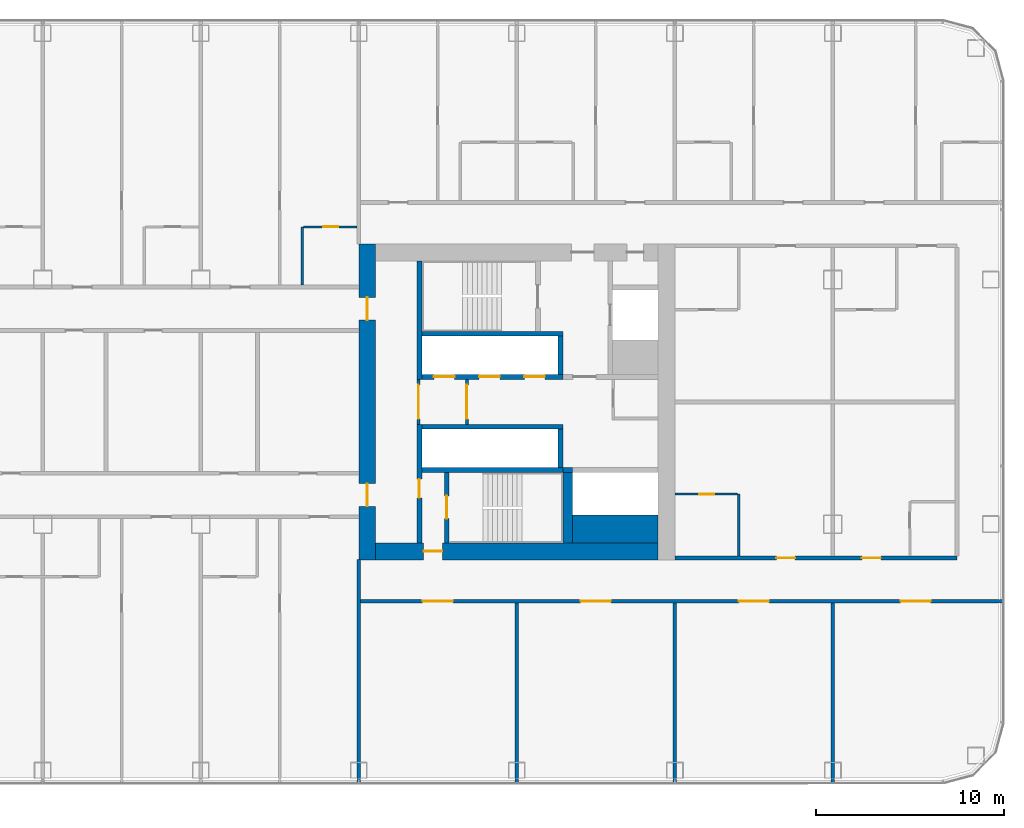
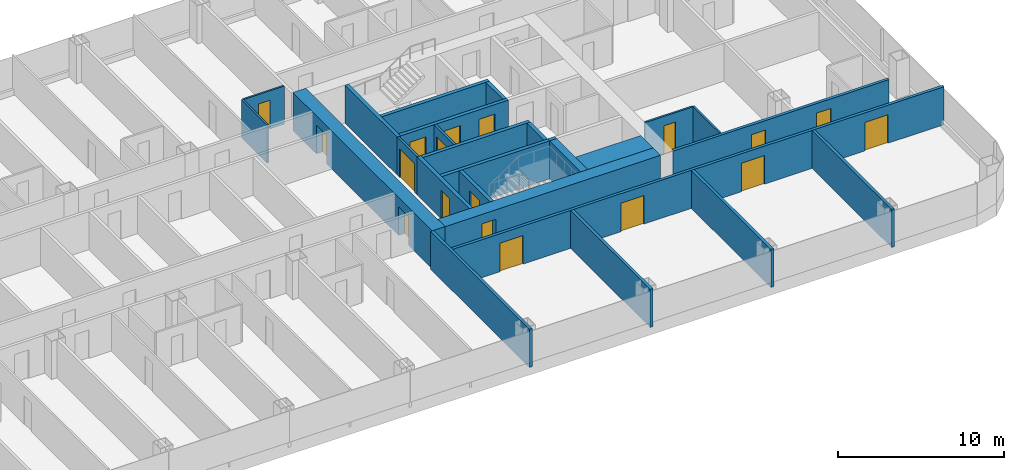
# One storey, part 17 of 28: 26 walls, 18 doors, 18 openings.
"""IFC4 building model written with IfcOpenShell, lengths in metres."""

from ifc_helpers import new_model, si_unit, direction, frame, frame_2d, origin, place, context, subcontext, project, spatial, rectangle, extrude, material, layer, layer_set, type_object, element, fill, save


model = new_model("IFC4")

# Units and contexts
model_context = context("Model", 3, precision=1e-05, world=origin(), true_north=direction((0.0, 1.0)))
body_context = subcontext(model_context, "Body", "Model", "MODEL_VIEW")
ifc_project = project(units=[si_unit("LENGTHUNIT", "METRE"), si_unit("AREAUNIT", "SQUARE_METRE"), si_unit("VOLUMEUNIT", "CUBIC_METRE"), si_unit("PLANEANGLEUNIT", "RADIAN"), si_unit("MASSUNIT", "GRAM", prefix="KILO")], contexts=[model_context])

# Site, building, storey
site_placement = place(None, origin())
site = spatial("IfcSite", under=ifc_project, at=site_placement, CompositionType="ELEMENT")
building_placement = place(site_placement, origin())
building = spatial("IfcBuilding", under=site, at=building_placement, Name="Hakoniwa Tower and Hamabe Station Hall", CompositionType="ELEMENT")
storey_placement = place(building_placement, frame((0.0, 0.0, 48.60009765625)))
storey = spatial("IfcBuildingStorey", under=building, at=storey_placement, Name="L13", CompositionType="ELEMENT", Elevation=48.60009765625)

# Wall, opening, door
ifc_material_1 = material(Name="Gypsum board partition", Category="gypsum")
ifc_layer_1 = layer(ifc_material_1, 0.125)
ifc_layer_set_1 = layer_set([ifc_layer_1], Name="Bathroom Partition 125")
wall_type_1 = type_object("IfcWallType", Name="Bathroom Partition 125", PredefinedType="PARTITIONING", material=ifc_layer_set_1)
wall_1_placement = place(storey_placement, frame((33.60009765625, -4.89990234375, 0.0), z_axis=(0.0, 0.0, 1.0), x_axis=(1.0, 0.0, 0.0)))
wall_1 = element("IfcWall", 1, at=wall_1_placement, inside=storey, type_object=wall_type_1, Name="GW-L13-012", PredefinedType="PARTITIONING", context=body_context, shape_type="SweptSolid", body=[
    extrude(rectangle(XDim=3.33740234375, YDim=0.125, at=frame_2d((1.668701171875, 0.0))), origin(), (0.0, 0.0, 1.0), 2.7998046875),
])
opening_1_placement = place(wall_1_placement, frame((1.300048828125, 0.0, 0.0)))
opening_1 = element("IfcOpeningElement", 2, at=opening_1_placement, cuts=wall_1, Name="Opening GD-G1E1-26", PredefinedType="OPENING", context=body_context, shape_type="SweptSolid", body=[
    extrude(rectangle(XDim=0.800048828125, YDim=2.10009765625, at=frame_2d((0.39990234375, 1.050048828125))), frame((0.0, 0.072509765625, 0.0), z_axis=(0.0, -1.0, 0.0), x_axis=(1.0, 0.0, 0.0)), (0.0, 0.0, 1.0), 0.14501953125),
])
ifc_material_2 = material(Name="Timber door leaf", Category="wood")
door_type_1 = type_object("IfcDoorType", Name="Bathroom Door 800", OperationType="SINGLE_SWING_LEFT", PredefinedType="DOOR", material=ifc_material_2)
door_1_placement = place(opening_1_placement, origin())
door_1 = element("IfcDoor", 3, at=door_1_placement, inside=storey, type_object=door_type_1, Name="Door GD-G1E1-26", OperationType="SINGLE_SWING_RIGHT", OverallHeight=2.10009765625, OverallWidth=0.800048828125, PredefinedType="DOOR", context=body_context, shape_type="SweptSolid", body=[
    extrude(rectangle(XDim=0.800048828125, YDim=2.10009765625, at=frame_2d((0.39990234375, 1.050048828125))), frame((0.0, 0.02490234375, 0.0), z_axis=(0.0, -1.0, 0.0), x_axis=(1.0, 0.0, 0.0)), (0.0, 0.0, 1.0), 0.050048828125),
])
fill(opening_1, door_1)

wall_2_placement = place(storey_placement, frame((13.862548828125, 9.300048828125, 0.0), z_axis=(0.0, 0.0, 1.0), x_axis=(1.0, 0.0, 0.0)))
wall_2 = element("IfcWall", 4, at=wall_2_placement, inside=storey, type_object=wall_type_1, Name="GW-L13-026", PredefinedType="PARTITIONING", context=body_context, shape_type="SweptSolid", body=[
    extrude(rectangle(XDim=2.83740234375, YDim=0.125, at=frame_2d((1.418701171875, 0.0))), origin(), (0.0, 0.0, 1.0), 2.7998046875),
])
opening_2_placement = place(wall_2_placement, frame((1.03759765625, 0.0, 0.0)))
opening_2 = element("IfcOpeningElement", 5, at=opening_2_placement, cuts=wall_2, Name="Opening GD-G1E1-50", PredefinedType="OPENING", context=body_context, shape_type="SweptSolid", body=[
    extrude(rectangle(XDim=0.800048828125, YDim=2.10009765625, at=frame_2d((0.39990234375, 1.050048828125))), frame((0.0, 0.072509765625, 0.0), z_axis=(0.0, -1.0, 0.0), x_axis=(1.0, 0.0, 0.0)), (0.0, 0.0, 1.0), 0.14501953125),
])
door_2_placement = place(opening_2_placement, origin())
door_2 = element("IfcDoor", 6, at=door_2_placement, inside=storey, type_object=door_type_1, Name="Door GD-G1E1-50", OperationType="SINGLE_SWING_RIGHT", OverallHeight=2.10009765625, OverallWidth=0.800048828125, PredefinedType="DOOR", context=body_context, shape_type="SweptSolid", body=[
    extrude(rectangle(XDim=0.800048828125, YDim=2.10009765625, at=frame_2d((0.39990234375, 1.050048828125))), frame((0.0, 0.02490234375, 0.0), z_axis=(0.0, -1.0, 0.0), x_axis=(1.0, 0.0, 0.0)), (0.0, 0.0, 1.0), 0.050048828125),
])
fill(opening_2, door_2)

# Walls
wall_3_placement = place(storey_placement, frame((13.800048828125, 6.199951171875, 0.0), z_axis=(0.0, 0.0, 1.0), x_axis=(0.0, 1.0, 0.0)))
element("IfcWall", 7, at=wall_3_placement, inside=storey, type_object=wall_type_1, Name="GW-L13-079", PredefinedType="PARTITIONING", context=body_context, shape_type="SweptSolid", body=[
    extrude(rectangle(XDim=3.10009765625, YDim=0.125, at=frame_2d((1.550048828125, 0.0))), origin(), (0.0, 0.0, 1.0), 2.7998046875),
])
wall_4_placement = place(storey_placement, frame((37.0, -8.199951171875, 0.0), z_axis=(0.0, 0.0, 1.0), x_axis=(0.0, 1.0, 0.0)))
element("IfcWall", 8, at=wall_4_placement, inside=storey, type_object=wall_type_1, Name="GW-L13-091", PredefinedType="PARTITIONING", context=body_context, shape_type="SweptSolid", body=[
    extrude(rectangle(XDim=3.300048828125, YDim=0.125, at=frame_2d((1.64990234375, 0.0))), origin(), (0.0, 0.0, 1.0), 2.7998046875),
])

# Wall, opening, door
ifc_material_3 = material(Name="Gypsum board partition")
ifc_layer_2 = layer(ifc_material_3, 0.14990234375)
ifc_layer_set_2 = layer_set([ifc_layer_2], Name="CORE PARTITION 150 EI 60")
wall_type_2 = type_object("IfcWallType", Name="CORE PARTITION 150 EI 60", PredefinedType="PARTITIONING", material=ifc_layer_set_2)
wall_5_placement = place(storey_placement, frame((19.97509765625, -1.199951171875, 0.0), z_axis=(0.0, 0.0, 1.0), x_axis=(0.0, 1.0, 0.0)))
wall_5 = element("IfcWall", 9, at=wall_5_placement, inside=storey, type_object=wall_type_2, Name="Core partition PL0 east", PredefinedType="PARTITIONING", context=body_context, shape_type="SweptSolid", body=[
    extrude(rectangle(XDim=2.39990234375, YDim=0.14990234375, at=frame_2d((1.199951171875, 0.0))), origin(), (0.0, 0.0, 1.0), 2.7998046875),
])
opening_3_placement = place(wall_5_placement, frame((0.300048828125, 0.0, 0.0)))
opening_3 = element("IfcOpeningElement", 10, at=opening_3_placement, cuts=wall_5, Name="Opening CD-E-LP0-18", PredefinedType="OPENING", context=body_context, shape_type="SweptSolid", body=[
    extrude(rectangle(XDim=1.800048828125, YDim=2.10009765625, at=frame_2d((0.89990234375, 1.050048828125))), frame((0.0, 0.0849609375, 0.0), z_axis=(0.0, -1.0, 0.0), x_axis=(1.0, 0.0, 0.0)), (0.0, 0.0, 1.0), 0.169921875),
])
ifc_material_4 = material(Name="Steel fire door", Category="steel")
door_type_2 = type_object("IfcDoorType", Name="CORE DOOR 1800 FD60", OperationType="DOUBLE_DOOR_SINGLE_SWING", PredefinedType="DOOR", material=ifc_material_4)
door_3_placement = place(opening_3_placement, origin())
door_3 = element("IfcDoor", 11, at=door_3_placement, inside=storey, type_object=door_type_2, Name="Lift lobby partition door", OperationType="DOUBLE_DOOR_SINGLE_SWING", OverallHeight=2.10009765625, OverallWidth=1.800048828125, PredefinedType="DOOR", context=body_context, shape_type="SweptSolid", body=[
    extrude(rectangle(XDim=1.800048828125, YDim=2.10009765625, at=frame_2d((0.89990234375, 1.050048828125))), frame((0.0, 0.02490234375, 0.0), z_axis=(0.0, -1.0, 0.0), x_axis=(1.0, 0.0, 0.0)), (0.0, 0.0, 1.0), 0.050048828125),
])
fill(opening_3, door_3)

wall_6_placement = place(storey_placement, frame((22.550048828125, -1.199951171875, 0.0), z_axis=(0.0, 0.0, 1.0), x_axis=(0.0, 1.0, 0.0)))
wall_6 = element("IfcWall", 12, at=wall_6_placement, inside=storey, type_object=wall_type_2, Name="Core partition PL1 east", PredefinedType="PARTITIONING", context=body_context, shape_type="SweptSolid", body=[
    extrude(rectangle(XDim=2.39990234375, YDim=0.14990234375, at=frame_2d((1.199951171875, 0.0))), origin(), (0.0, 0.0, 1.0), 2.7998046875),
])
opening_4_placement = place(wall_6_placement, frame((0.300048828125, 0.0, 0.0)))
opening_4 = element("IfcOpeningElement", 13, at=opening_4_placement, cuts=wall_6, Name="Opening CD-E-LP1-18", PredefinedType="OPENING", context=body_context, shape_type="SweptSolid", body=[
    extrude(rectangle(XDim=1.800048828125, YDim=2.10009765625, at=frame_2d((0.89990234375, 1.050048828125))), frame((0.0, 0.0849609375, 0.0), z_axis=(0.0, -1.0, 0.0), x_axis=(1.0, 0.0, 0.0)), (0.0, 0.0, 1.0), 0.169921875),
])
door_4_placement = place(opening_4_placement, origin())
door_4 = element("IfcDoor", 14, at=door_4_placement, inside=storey, type_object=door_type_2, Name="Lift lobby partition door", OperationType="DOUBLE_DOOR_SINGLE_SWING", OverallHeight=2.10009765625, OverallWidth=1.800048828125, PredefinedType="DOOR", context=body_context, shape_type="SweptSolid", body=[
    extrude(rectangle(XDim=1.800048828125, YDim=2.10009765625, at=frame_2d((0.89990234375, 1.050048828125))), frame((0.0, 0.02490234375, 0.0), z_axis=(0.0, -1.0, 0.0), x_axis=(1.0, 0.0, 0.0)), (0.0, 0.0, 1.0), 0.050048828125),
])
fill(opening_4, door_4)

# Wall, openings, doors
ifc_material_5 = material(Name="Concrete C80", Category="concrete")
ifc_layer_3 = layer(ifc_material_5, 0.89990234375)
ifc_layer_set_3 = layer_set([ifc_layer_3], Name="CORE WALL 900 C80")
wall_type_3 = type_object("IfcWallType", Name="CORE WALL 900 C80", PredefinedType="SHEAR", material=ifc_layer_set_3)
wall_7_placement = place(storey_placement, frame((17.25, -8.39990234375, 0.0), z_axis=(0.0, 0.0, 1.0), x_axis=(0.0, 1.0, 0.0)))
wall_7 = element("IfcWall", 15, at=wall_7_placement, inside=storey, type_object=wall_type_3, Name="Core wall INNER east", PredefinedType="SHEAR", context=body_context, shape_type="SweptSolid", body=[
    extrude(rectangle(XDim=16.7998046875, YDim=0.89990234375, at=frame_2d((8.39990234375, 0.0))), origin(), (0.0, 0.0, 1.0), 2.7998046875),
])
opening_5_placement = place(wall_7_placement, frame((12.75, 0.0, 0.0)))
opening_5 = element("IfcOpeningElement", 16, at=opening_5_placement, cuts=wall_7, Name="Opening CD-E-IN1-12", PredefinedType="OPENING", context=body_context, shape_type="SweptSolid", body=[
    extrude(rectangle(XDim=1.199951171875, YDim=2.10009765625, at=frame_2d((0.60009765625, 1.050048828125))), frame((0.0, 0.4599609375, 0.0), z_axis=(0.0, -1.0, 0.0), x_axis=(1.0, 0.0, 0.0)), (0.0, 0.0, 1.0), 0.919921875),
])
opening_6_placement = place(wall_7_placement, frame((2.85009765625, 0.0, 0.0)))
opening_6 = element("IfcOpeningElement", 17, at=opening_6_placement, cuts=wall_7, Name="Opening CD-E-IN2-12", PredefinedType="OPENING", context=body_context, shape_type="SweptSolid", body=[
    extrude(rectangle(XDim=1.199951171875, YDim=2.10009765625, at=frame_2d((0.60009765625, 1.050048828125))), frame((0.0, 0.4599609375, 0.0), z_axis=(0.0, -1.0, 0.0), x_axis=(1.0, 0.0, 0.0)), (0.0, 0.0, 1.0), 0.919921875),
])
ifc_material_6 = material(Name="Steel fire door", Category="steel")
door_type_3 = type_object("IfcDoorType", Name="CORE DOOR 1200 FD60", OperationType="DOUBLE_DOOR_SINGLE_SWING", PredefinedType="DOOR", material=ifc_material_6)
door_5_placement = place(opening_5_placement, origin())
door_5 = element("IfcDoor", 18, at=door_5_placement, inside=storey, type_object=door_type_3, Name="Lift lobby door", OperationType="DOUBLE_DOOR_SINGLE_SWING", OverallHeight=2.10009765625, OverallWidth=1.199951171875, PredefinedType="DOOR", context=body_context, shape_type="SweptSolid", body=[
    extrude(rectangle(XDim=1.199951171875, YDim=2.10009765625, at=frame_2d((0.60009765625, 1.050048828125))), frame((0.0, 0.02490234375, 0.0), z_axis=(0.0, -1.0, 0.0), x_axis=(1.0, 0.0, 0.0)), (0.0, 0.0, 1.0), 0.050048828125),
])
fill(opening_5, door_5)
door_6_placement = place(opening_6_placement, origin())
door_6 = element("IfcDoor", 19, at=door_6_placement, inside=storey, type_object=door_type_3, Name="Lift lobby door", OperationType="DOUBLE_DOOR_SINGLE_SWING", OverallHeight=2.10009765625, OverallWidth=1.199951171875, PredefinedType="DOOR", context=body_context, shape_type="SweptSolid", body=[
    extrude(rectangle(XDim=1.199951171875, YDim=2.10009765625, at=frame_2d((0.60009765625, 1.050048828125))), frame((0.0, 0.02490234375, 0.0), z_axis=(0.0, -1.0, 0.0), x_axis=(1.0, 0.0, 0.0)), (0.0, 0.0, 1.0), 0.050048828125),
])
fill(opening_6, door_6)

# Wall, opening, door
wall_8_placement = place(storey_placement, frame((17.699951171875, -7.949951171875, 0.0), z_axis=(0.0, 0.0, 1.0), x_axis=(1.0, 0.0, 0.0)))
wall_8 = element("IfcWall", 20, at=wall_8_placement, inside=storey, type_object=wall_type_3, Name="Core wall SOUTH east", PredefinedType="SHEAR", context=body_context, shape_type="SweptSolid", body=[
    extrude(rectangle(XDim=15.0, YDim=0.89990234375, at=frame_2d((7.5, 0.0))), origin(), (0.0, 0.0, 1.0), 2.7998046875),
])
opening_7_placement = place(wall_8_placement, frame((2.550048828125, 0.0, 0.0)))
opening_7 = element("IfcOpeningElement", 21, at=opening_7_placement, cuts=wall_8, Name="Opening CD-E-FS3-10", PredefinedType="OPENING", context=body_context, shape_type="SweptSolid", body=[
    extrude(rectangle(XDim=1.0, YDim=2.10009765625, at=frame_2d((0.5, 1.050048828125))), frame((0.0, 0.4599609375, 0.0), z_axis=(0.0, -1.0, 0.0), x_axis=(1.0, 0.0, 0.0)), (0.0, 0.0, 1.0), 0.919921875),
])
ifc_material_7 = material(Name="Steel fire door", Category="steel")
door_type_4 = type_object("IfcDoorType", Name="CORE DOOR 1000 FD60", OperationType="NOTDEFINED", PredefinedType="DOOR", material=ifc_material_7)
door_7_placement = place(opening_7_placement, origin())
door_7 = element("IfcDoor", 22, at=door_7_placement, inside=storey, type_object=door_type_4, Name="Stair vestibule door", OperationType="SINGLE_SWING_LEFT", OverallHeight=2.10009765625, OverallWidth=1.0, PredefinedType="DOOR", context=body_context, shape_type="SweptSolid", body=[
    extrude(rectangle(XDim=1.0, YDim=2.10009765625, at=frame_2d((0.5, 1.050048828125))), frame((0.0, 0.02490234375, 0.0), z_axis=(0.0, -1.0, 0.0), x_axis=(1.0, 0.0, 0.0)), (0.0, 0.0, 1.0), 0.050048828125),
])
fill(opening_7, door_7)

# Walls
ifc_material_8 = material(Name="Concrete C80", Category="concrete")
ifc_layer_4 = layer(ifc_material_8, 1.5)
ifc_layer_set_4 = layer_set([ifc_layer_4], Name="CORE WEB WALL 1500 C80")
wall_type_4 = type_object("IfcWallType", Name="CORE WEB WALL 1500 C80", PredefinedType="SHEAR", material=ifc_layer_set_4)
wall_9_placement = place(storey_placement, frame((28.14990234375, -6.75, 0.0), z_axis=(0.0, 0.0, 1.0), x_axis=(1.0, 0.0, 0.0)))
element("IfcWall", 23, at=wall_9_placement, inside=storey, type_object=wall_type_4, Name="Core wall SER east", PredefinedType="SHEAR", context=body_context, shape_type="SweptSolid", body=[
    extrude(rectangle(XDim=4.550048828125, YDim=1.5, at=frame_2d((2.27490234375, 0.0))), origin(), (0.0, 0.0, 1.0), 2.7998046875),
])
ifc_material_9 = material(Name="Concrete C80", Category="concrete")
ifc_layer_5 = layer(ifc_material_9, 0.25)
ifc_layer_set_5 = layer_set([ifc_layer_5], Name="CORE WEB WALL 250 C80")
wall_type_5 = type_object("IfcWallType", Name="CORE WEB WALL 250 C80", PredefinedType="SHEAR", material=ifc_layer_set_5)
wall_10_placement = place(storey_placement, frame((20.02490234375, 1.199951171875, 0.0), z_axis=(0.0, 0.0, 1.0), x_axis=(0.0, 1.0, 0.0)))
element("IfcWall", 24, at=wall_10_placement, inside=storey, type_object=wall_type_5, Name="Core wall W1N east", PredefinedType="SHEAR", context=body_context, shape_type="SweptSolid", body=[
    extrude(rectangle(XDim=6.300048828125, YDim=0.25, at=frame_2d((3.14990234375, 0.0))), origin(), (0.0, 0.0, 1.0), 2.7998046875),
])

# Wall, opening, door
wall_11_placement = place(storey_placement, frame((20.02490234375, -7.5, 0.0), z_axis=(0.0, 0.0, 1.0), x_axis=(0.0, 1.0, 0.0)))
wall_11 = element("IfcWall", 25, at=wall_11_placement, inside=storey, type_object=wall_type_5, Name="Core wall W1S east", PredefinedType="SHEAR", context=body_context, shape_type="SweptSolid", body=[
    extrude(rectangle(XDim=6.300048828125, YDim=0.25, at=frame_2d((3.14990234375, 0.0))), origin(), (0.0, 0.0, 1.0), 2.7998046875),
])
opening_8_placement = place(wall_11_placement, frame((2.39990234375, 0.0, 0.0)))
opening_8 = element("IfcOpeningElement", 26, at=opening_8_placement, cuts=wall_11, Name="Opening CD-E-VS-10", PredefinedType="OPENING", context=body_context, shape_type="SweptSolid", body=[
    extrude(rectangle(XDim=1.0, YDim=2.10009765625, at=frame_2d((0.5, 1.050048828125))), frame((0.0, 0.135009765625, 0.0), z_axis=(0.0, -1.0, 0.0), x_axis=(1.0, 0.0, 0.0)), (0.0, 0.0, 1.0), 0.27001953125),
])
door_8_placement = place(opening_8_placement, origin())
door_8 = element("IfcDoor", 27, at=door_8_placement, inside=storey, type_object=door_type_4, Name="Stair vestibule door", OperationType="SINGLE_SWING_RIGHT", OverallHeight=2.10009765625, OverallWidth=1.0, PredefinedType="DOOR", context=body_context, shape_type="SweptSolid", body=[
    extrude(rectangle(XDim=1.0, YDim=2.10009765625, at=frame_2d((0.5, 1.050048828125))), frame((0.0, 0.02490234375, 0.0), z_axis=(0.0, -1.0, 0.0), x_axis=(1.0, 0.0, 0.0)), (0.0, 0.0, 1.0), 0.050048828125),
])
fill(opening_8, door_8)

# Wall, openings, doors
wall_12_placement = place(storey_placement, frame((20.14990234375, 1.324951171875, 0.0), z_axis=(0.0, 0.0, 1.0), x_axis=(1.0, 0.0, 0.0)))
wall_12 = element("IfcWall", 28, at=wall_12_placement, inside=storey, type_object=wall_type_5, Name="Core wall NF east", PredefinedType="SHEAR", context=body_context, shape_type="SweptSolid", body=[
    extrude(rectangle(XDim=7.5, YDim=0.25, at=frame_2d((3.75, 0.0))), origin(), (0.0, 0.0, 1.0), 2.7998046875),
])
opening_9_placement = place(wall_12_placement, frame((0.64990234375, 0.0, 0.0)))
opening_9 = element("IfcOpeningElement", 29, at=opening_9_placement, cuts=wall_12, Name="Opening LD-LR4", PredefinedType="OPENING", context=body_context, shape_type="SweptSolid", body=[
    extrude(rectangle(XDim=1.10009765625, YDim=2.10009765625, at=frame_2d((0.550048828125, 1.050048828125))), frame((0.0, 0.135009765625, 0.0), z_axis=(0.0, -1.0, 0.0), x_axis=(1.0, 0.0, 0.0)), (0.0, 0.0, 1.0), 0.27001953125),
])
opening_10_placement = place(wall_12_placement, frame((3.050048828125, 0.0, 0.0)))
opening_10 = element("IfcOpeningElement", 30, at=opening_10_placement, cuts=wall_12, Name="Opening LD-LR5", PredefinedType="OPENING", context=body_context, shape_type="SweptSolid", body=[
    extrude(rectangle(XDim=1.10009765625, YDim=2.10009765625, at=frame_2d((0.550048828125, 1.050048828125))), frame((0.0, 0.135009765625, 0.0), z_axis=(0.0, -1.0, 0.0), x_axis=(1.0, 0.0, 0.0)), (0.0, 0.0, 1.0), 0.27001953125),
])
opening_11_placement = place(wall_12_placement, frame((5.449951171875, 0.0, 0.0)))
opening_11 = element("IfcOpeningElement", 31, at=opening_11_placement, cuts=wall_12, Name="Opening LD-LR6", PredefinedType="OPENING", context=body_context, shape_type="SweptSolid", body=[
    extrude(rectangle(XDim=1.10009765625, YDim=2.10009765625, at=frame_2d((0.550048828125, 1.050048828125))), frame((0.0, 0.135009765625, 0.0), z_axis=(0.0, -1.0, 0.0), x_axis=(1.0, 0.0, 0.0)), (0.0, 0.0, 1.0), 0.27001953125),
])
ifc_material_10 = material(Name="Stainless steel SUS304", Category="steel")
door_type_5 = type_object("IfcDoorType", Name="LIFT LANDING DOOR 1100 FD60", OperationType="DOUBLE_DOOR_SLIDING", PredefinedType="DOOR", material=ifc_material_10)
door_9_placement = place(opening_9_placement, origin())
door_9 = element("IfcDoor", 32, at=door_9_placement, inside=storey, type_object=door_type_5, Name="Lift landing door LR4 L13", OperationType="DOUBLE_DOOR_SLIDING", OverallHeight=2.10009765625, OverallWidth=1.10009765625, PredefinedType="DOOR", context=body_context, shape_type="SweptSolid", body=[
    extrude(rectangle(XDim=1.10009765625, YDim=2.10009765625, at=frame_2d((0.550048828125, 1.050048828125))), frame((0.0, 0.02490234375, 0.0), z_axis=(0.0, -1.0, 0.0), x_axis=(1.0, 0.0, 0.0)), (0.0, 0.0, 1.0), 0.050048828125),
])
fill(opening_9, door_9)
door_10_placement = place(opening_10_placement, origin())
door_10 = element("IfcDoor", 33, at=door_10_placement, inside=storey, type_object=door_type_5, Name="Lift landing door LR5 L13", OperationType="DOUBLE_DOOR_SLIDING", OverallHeight=2.10009765625, OverallWidth=1.10009765625, PredefinedType="DOOR", context=body_context, shape_type="SweptSolid", body=[
    extrude(rectangle(XDim=1.10009765625, YDim=2.10009765625, at=frame_2d((0.550048828125, 1.050048828125))), frame((0.0, 0.02490234375, 0.0), z_axis=(0.0, -1.0, 0.0), x_axis=(1.0, 0.0, 0.0)), (0.0, 0.0, 1.0), 0.050048828125),
])
fill(opening_10, door_10)
door_11_placement = place(opening_11_placement, origin())
door_11 = element("IfcDoor", 34, at=door_11_placement, inside=storey, type_object=door_type_5, Name="Lift landing door LR6 L13", OperationType="DOUBLE_DOOR_SLIDING", OverallHeight=2.10009765625, OverallWidth=1.10009765625, PredefinedType="DOOR", context=body_context, shape_type="SweptSolid", body=[
    extrude(rectangle(XDim=1.10009765625, YDim=2.10009765625, at=frame_2d((0.550048828125, 1.050048828125))), frame((0.0, 0.02490234375, 0.0), z_axis=(0.0, -1.0, 0.0), x_axis=(1.0, 0.0, 0.0)), (0.0, 0.0, 1.0), 0.050048828125),
])
fill(opening_11, door_11)

# Walls
wall_13_placement = place(storey_placement, frame((27.52490234375, 1.449951171875, 0.0), z_axis=(0.0, 0.0, 1.0), x_axis=(0.0, 1.0, 0.0)))
element("IfcWall", 35, at=wall_13_placement, inside=storey, type_object=wall_type_5, Name="Core wall NE east", PredefinedType="SHEAR", context=body_context, shape_type="SweptSolid", body=[
    extrude(rectangle(XDim=2.050048828125, YDim=0.25, at=frame_2d((1.02490234375, 0.0))), origin(), (0.0, 0.0, 1.0), 2.7998046875),
])
for number, where, z_axis, x_axis, name in (
    (36, (20.14990234375, 3.625, 0.0), (0.0, 0.0, 1.0), (1.0, 0.0, 0.0), "Core wall NR east"),
    (37, (20.14990234375, -1.324951171875, 0.0), (0.0, 0.0, 1.0), (1.0, 0.0, 0.0), "Core wall SF east"),
):
    element("IfcWall", number, at=place(storey_placement, frame(where, z_axis=z_axis, x_axis=x_axis)), inside=storey, type_object=wall_type_5, Name=name, PredefinedType="SHEAR", context=body_context, shape_type="SweptSolid", body=[
        extrude(rectangle(XDim=7.5, YDim=0.25, at=frame_2d((3.75, 0.0))), origin(), (0.0, 0.0, 1.0), 2.7998046875),
    ])
wall_14_placement = place(storey_placement, frame((27.52490234375, -3.5, 0.0), z_axis=(0.0, 0.0, 1.0), x_axis=(0.0, 1.0, 0.0)))
element("IfcWall", 38, at=wall_14_placement, inside=storey, type_object=wall_type_5, Name="Core wall SE east", PredefinedType="SHEAR", context=body_context, shape_type="SweptSolid", body=[
    extrude(rectangle(XDim=2.050048828125, YDim=0.25, at=frame_2d((1.02490234375, 0.0))), origin(), (0.0, 0.0, 1.0), 2.7998046875),
])
wall_15_placement = place(storey_placement, frame((20.14990234375, -3.625, 0.0), z_axis=(0.0, 0.0, 1.0), x_axis=(1.0, 0.0, 0.0)))
element("IfcWall", 39, at=wall_15_placement, inside=storey, type_object=wall_type_5, Name="Core wall SR east", PredefinedType="SHEAR", context=body_context, shape_type="SweptSolid", body=[
    extrude(rectangle(XDim=7.5, YDim=0.25, at=frame_2d((3.75, 0.0))), origin(), (0.0, 0.0, 1.0), 2.7998046875),
])

# Wall, opening, door
wall_16_placement = place(storey_placement, frame((21.47509765625, -7.5, 0.0), z_axis=(0.0, 0.0, 1.0), x_axis=(0.0, 1.0, 0.0)))
wall_16 = element("IfcWall", 40, at=wall_16_placement, inside=storey, type_object=wall_type_5, Name="Core wall VE east", PredefinedType="SHEAR", context=body_context, shape_type="SweptSolid", body=[
    extrude(rectangle(XDim=3.75, YDim=0.25, at=frame_2d((1.875, 0.0))), origin(), (0.0, 0.0, 1.0), 2.7998046875),
])
opening_12_placement = place(wall_16_placement, frame((1.300048828125, 0.0, 0.0)))
opening_12 = element("IfcOpeningElement", 41, at=opening_12_placement, cuts=wall_16, Name="Opening CD-E-SS-12", PredefinedType="OPENING", context=body_context, shape_type="SweptSolid", body=[
    extrude(rectangle(XDim=1.199951171875, YDim=2.10009765625, at=frame_2d((0.60009765625, 1.050048828125))), frame((0.0, 0.135009765625, 0.0), z_axis=(0.0, -1.0, 0.0), x_axis=(1.0, 0.0, 0.0)), (0.0, 0.0, 1.0), 0.27001953125),
])
door_12_placement = place(opening_12_placement, origin())
door_12 = element("IfcDoor", 42, at=door_12_placement, inside=storey, type_object=door_type_3, Name="Escape stair door", OperationType="DOUBLE_DOOR_SINGLE_SWING", OverallHeight=2.10009765625, OverallWidth=1.199951171875, PredefinedType="DOOR", context=body_context, shape_type="SweptSolid", body=[
    extrude(rectangle(XDim=1.199951171875, YDim=2.10009765625, at=frame_2d((0.60009765625, 1.050048828125))), frame((0.0, 0.02490234375, 0.0), z_axis=(0.0, -1.0, 0.0), x_axis=(1.0, 0.0, 0.0)), (0.0, 0.0, 1.0), 0.050048828125),
])
fill(opening_12, door_12)

# Walls
wall_17_placement = place(storey_placement, frame((27.64990234375, -3.625, 0.0), z_axis=(0.0, 0.0, 1.0), x_axis=(1.0, 0.0, 0.0)))
element("IfcWall", 43, at=wall_17_placement, inside=storey, type_object=wall_type_5, Name="Core wall SRK east", PredefinedType="SHEAR", context=body_context, shape_type="SweptSolid", body=[
    extrude(rectangle(XDim=0.5, YDim=0.25, at=frame_2d((0.25, 0.0))), origin(), (0.0, 0.0, 1.0), 2.7998046875),
])
ifc_material_11 = material(Name="Concrete C80", Category="concrete")
ifc_layer_6 = layer(ifc_material_11, 0.5)
ifc_layer_set_6 = layer_set([ifc_layer_6], Name="CORE WEB WALL 500 C80")
wall_type_6 = type_object("IfcWallType", Name="CORE WEB WALL 500 C80", PredefinedType="SHEAR", material=ifc_layer_set_6)
wall_18_placement = place(storey_placement, frame((27.89990234375, -7.5, 0.0), z_axis=(0.0, 0.0, 1.0), x_axis=(0.0, 1.0, 0.0)))
element("IfcWall", 44, at=wall_18_placement, inside=storey, type_object=wall_type_6, Name="Core wall SSE east", PredefinedType="SHEAR", context=body_context, shape_type="SweptSolid", body=[
    extrude(rectangle(XDim=3.75, YDim=0.5, at=frame_2d((1.875, 0.0))), origin(), (0.0, 0.0, 1.0), 2.7998046875),
])

# Wall, openings, doors
ifc_material_12 = material(Name="Fire-rated gypsum board partition", Category="gypsum")
ifc_layer_7 = layer(ifc_material_12, 0.199951171875)
ifc_layer_set_7 = layer_set([ifc_layer_7], Name="Corridor Wall 200")
wall_type_7 = type_object("IfcWallType", Name="Corridor Wall 200", PredefinedType="PARTITIONING", material=ifc_layer_set_7)
wall_19_placement = place(storey_placement, frame((16.800048828125, -10.60009765625, 0.0), z_axis=(0.0, 0.0, 1.0), x_axis=(1.0, 0.0, 0.0)))
wall_19 = element("IfcWall", 45, at=wall_19_placement, inside=storey, type_object=wall_type_7, Name="GW-L13-002", PredefinedType="PARTITIONING", context=body_context, shape_type="SweptSolid", body=[
    extrude(rectangle(XDim=34.300048828125, YDim=0.199951171875, at=frame_2d((17.14990234375, 0.0))), origin(), (0.0, 0.0, 1.0), 2.7998046875),
])
opening_13_placement = place(wall_19_placement, frame((3.39990234375, 0.0, 0.0)))
opening_13 = element("IfcOpeningElement", 46, at=opening_13_placement, cuts=wall_19, Name="Opening GD-G1E1-08", PredefinedType="OPENING", context=body_context, shape_type="SweptSolid", body=[
    extrude(rectangle(XDim=1.60009765625, YDim=2.10009765625, at=frame_2d((0.800048828125, 1.050048828125))), frame((0.0, 0.10986328125, 0.0), z_axis=(0.0, -1.0, 0.0), x_axis=(1.0, 0.0, 0.0)), (0.0, 0.0, 1.0), 0.219970703125),
])
opening_14_placement = place(wall_19_placement, frame((11.800048828125, 0.0, 0.0)))
opening_14 = element("IfcOpeningElement", 47, at=opening_14_placement, cuts=wall_19, Name="Opening GD-G1E1-09", PredefinedType="OPENING", context=body_context, shape_type="SweptSolid", body=[
    extrude(rectangle(XDim=1.60009765625, YDim=2.10009765625, at=frame_2d((0.800048828125, 1.050048828125))), frame((0.0, 0.10986328125, 0.0), z_axis=(0.0, -1.0, 0.0), x_axis=(1.0, 0.0, 0.0)), (0.0, 0.0, 1.0), 0.219970703125),
])
opening_15_placement = place(wall_19_placement, frame((20.199951171875, 0.0, 0.0)))
opening_15 = element("IfcOpeningElement", 48, at=opening_15_placement, cuts=wall_19, Name="Opening GD-G1E1-10", PredefinedType="OPENING", context=body_context, shape_type="SweptSolid", body=[
    extrude(rectangle(XDim=1.60009765625, YDim=2.10009765625, at=frame_2d((0.800048828125, 1.050048828125))), frame((0.0, 0.10986328125, 0.0), z_axis=(0.0, -1.0, 0.0), x_axis=(1.0, 0.0, 0.0)), (0.0, 0.0, 1.0), 0.219970703125),
])
opening_16_placement = place(wall_19_placement, frame((28.800048828125, 0.0, 0.0)))
opening_16 = element("IfcOpeningElement", 49, at=opening_16_placement, cuts=wall_19, Name="Opening GD-G1E1-11", PredefinedType="OPENING", context=body_context, shape_type="SweptSolid", body=[
    extrude(rectangle(XDim=1.60009765625, YDim=2.10009765625, at=frame_2d((0.800048828125, 1.050048828125))), frame((0.0, 0.10986328125, 0.0), z_axis=(0.0, -1.0, 0.0), x_axis=(1.0, 0.0, 0.0)), (0.0, 0.0, 1.0), 0.219970703125),
])
ifc_material_13 = material(Name="Timber door leaf", Category="wood")
door_type_6 = type_object("IfcDoorType", Name="Double Door 1600", OperationType="DOUBLE_DOOR_SINGLE_SWING", PredefinedType="DOOR", material=ifc_material_13)
door_13_placement = place(opening_13_placement, origin())
door_13 = element("IfcDoor", 50, at=door_13_placement, inside=storey, type_object=door_type_6, Name="Door GD-G1E1-08", OperationType="DOUBLE_DOOR_SINGLE_SWING", OverallHeight=2.10009765625, OverallWidth=1.60009765625, PredefinedType="DOOR", context=body_context, shape_type="SweptSolid", body=[
    extrude(rectangle(XDim=1.60009765625, YDim=2.10009765625, at=frame_2d((0.800048828125, 1.050048828125))), frame((0.0, 0.02490234375, 0.0), z_axis=(0.0, -1.0, 0.0), x_axis=(1.0, 0.0, 0.0)), (0.0, 0.0, 1.0), 0.050048828125),
])
fill(opening_13, door_13)
door_14_placement = place(opening_14_placement, origin())
door_14 = element("IfcDoor", 51, at=door_14_placement, inside=storey, type_object=door_type_6, Name="Door GD-G1E1-09", OperationType="DOUBLE_DOOR_SINGLE_SWING", OverallHeight=2.10009765625, OverallWidth=1.60009765625, PredefinedType="DOOR", context=body_context, shape_type="SweptSolid", body=[
    extrude(rectangle(XDim=1.60009765625, YDim=2.10009765625, at=frame_2d((0.800048828125, 1.050048828125))), frame((0.0, 0.02490234375, 0.0), z_axis=(0.0, -1.0, 0.0), x_axis=(1.0, 0.0, 0.0)), (0.0, 0.0, 1.0), 0.050048828125),
])
fill(opening_14, door_14)
door_15_placement = place(opening_15_placement, origin())
door_15 = element("IfcDoor", 52, at=door_15_placement, inside=storey, type_object=door_type_6, Name="Door GD-G1E1-10", OperationType="DOUBLE_DOOR_SINGLE_SWING", OverallHeight=2.10009765625, OverallWidth=1.60009765625, PredefinedType="DOOR", context=body_context, shape_type="SweptSolid", body=[
    extrude(rectangle(XDim=1.60009765625, YDim=2.10009765625, at=frame_2d((0.800048828125, 1.050048828125))), frame((0.0, 0.02490234375, 0.0), z_axis=(0.0, -1.0, 0.0), x_axis=(1.0, 0.0, 0.0)), (0.0, 0.0, 1.0), 0.050048828125),
])
fill(opening_15, door_15)
door_16_placement = place(opening_16_placement, origin())
door_16 = element("IfcDoor", 53, at=door_16_placement, inside=storey, type_object=door_type_6, Name="Door GD-G1E1-11", OperationType="DOUBLE_DOOR_SINGLE_SWING", OverallHeight=2.10009765625, OverallWidth=1.60009765625, PredefinedType="DOOR", context=body_context, shape_type="SweptSolid", body=[
    extrude(rectangle(XDim=1.60009765625, YDim=2.10009765625, at=frame_2d((0.800048828125, 1.050048828125))), frame((0.0, 0.02490234375, 0.0), z_axis=(0.0, -1.0, 0.0), x_axis=(1.0, 0.0, 0.0)), (0.0, 0.0, 1.0), 0.050048828125),
])
fill(opening_16, door_16)

wall_20_placement = place(storey_placement, frame((33.60009765625, -8.300048828125, 0.0), z_axis=(0.0, 0.0, 1.0), x_axis=(1.0, 0.0, 0.0)))
wall_20 = element("IfcWall", 54, at=wall_20_placement, inside=storey, type_object=wall_type_7, Name="GW-L13-007", PredefinedType="PARTITIONING", context=body_context, shape_type="SweptSolid", body=[
    extrude(rectangle(XDim=15.0, YDim=0.199951171875, at=frame_2d((7.5, 0.0))), origin(), (0.0, 0.0, 1.0), 2.7998046875),
])
opening_17_placement = place(wall_20_placement, frame((5.39990234375, 0.0, 0.0)))
opening_17 = element("IfcOpeningElement", 55, at=opening_17_placement, cuts=wall_20, Name="Opening GD-G1E1-18", PredefinedType="OPENING", context=body_context, shape_type="SweptSolid", body=[
    extrude(rectangle(XDim=1.0, YDim=2.10009765625, at=frame_2d((0.5, 1.050048828125))), frame((0.0, 0.10986328125, 0.0), z_axis=(0.0, -1.0, 0.0), x_axis=(1.0, 0.0, 0.0)), (0.0, 0.0, 1.0), 0.219970703125),
])
opening_18_placement = place(wall_20_placement, frame((9.949951171875, 0.0, 0.0)))
opening_18 = element("IfcOpeningElement", 56, at=opening_18_placement, cuts=wall_20, Name="Opening GD-G1E1-19", PredefinedType="OPENING", context=body_context, shape_type="SweptSolid", body=[
    extrude(rectangle(XDim=1.0, YDim=2.10009765625, at=frame_2d((0.5, 1.050048828125))), frame((0.0, 0.10986328125, 0.0), z_axis=(0.0, -1.0, 0.0), x_axis=(1.0, 0.0, 0.0)), (0.0, 0.0, 1.0), 0.219970703125),
])
ifc_material_14 = material(Name="Timber door leaf", Category="wood")
door_type_7 = type_object("IfcDoorType", Name="Guest Entrance Door 1000", OperationType="SINGLE_SWING_LEFT", PredefinedType="DOOR", material=ifc_material_14)
door_17_placement = place(opening_17_placement, origin())
door_17 = element("IfcDoor", 57, at=door_17_placement, inside=storey, type_object=door_type_7, Name="Door GD-G1E1-18", OperationType="SINGLE_SWING_LEFT", OverallHeight=2.10009765625, OverallWidth=1.0, PredefinedType="DOOR", context=body_context, shape_type="SweptSolid", body=[
    extrude(rectangle(XDim=1.0, YDim=2.10009765625, at=frame_2d((0.5, 1.050048828125))), frame((0.0, 0.02490234375, 0.0), z_axis=(0.0, -1.0, 0.0), x_axis=(1.0, 0.0, 0.0)), (0.0, 0.0, 1.0), 0.050048828125),
])
fill(opening_17, door_17)
door_18_placement = place(opening_18_placement, origin())
door_18 = element("IfcDoor", 58, at=door_18_placement, inside=storey, type_object=door_type_7, Name="Door GD-G1E1-19", OperationType="SINGLE_SWING_RIGHT", OverallHeight=2.10009765625, OverallWidth=1.0, PredefinedType="DOOR", context=body_context, shape_type="SweptSolid", body=[
    extrude(rectangle(XDim=1.0, YDim=2.10009765625, at=frame_2d((0.5, 1.050048828125))), frame((0.0, 0.02490234375, 0.0), z_axis=(0.0, -1.0, 0.0), x_axis=(1.0, 0.0, 0.0)), (0.0, 0.0, 1.0), 0.050048828125),
])
fill(opening_18, door_18)

# Walls
ifc_material_15 = material(Name="Fire-rated gypsum board partition", Category="gypsum")
ifc_layer_8 = layer(ifc_material_15, 0.199951171875)
ifc_layer_set_8 = layer_set([ifc_layer_8], Name="Party Wall 200")
wall_type_8 = type_object("IfcWallType", Name="Party Wall 200", PredefinedType="PARTITIONING", material=ifc_layer_set_8)
wall_21_placement = place(storey_placement, frame((16.800048828125, -20.300048828125, 0.0), z_axis=(0.0, 0.0, 1.0), x_axis=(0.0, 1.0, 0.0)))
element("IfcWall", 59, at=wall_21_placement, inside=storey, type_object=wall_type_8, Name="GW-L13-080", PredefinedType="PARTITIONING", context=body_context, shape_type="SweptSolid", body=[
    extrude(rectangle(XDim=11.91015625, YDim=0.199951171875, at=frame_2d((5.955078125, 0.0))), origin(), (0.0, 0.0, 1.0), 2.7998046875),
])
for number, where, z_axis, x_axis, name in (
    (60, (25.199951171875, -20.300048828125, 0.0), (0.0, 0.0, 1.0), (0.0, 1.0, 0.0), "GW-L13-084"),
    (61, (33.60009765625, -20.300048828125, 0.0), (0.0, 0.0, 1.0), (0.0, 1.0, 0.0), "GW-L13-088"),
    (62, (42.0, -20.300048828125, 0.0), (0.0, 0.0, 1.0), (0.0, 1.0, 0.0), "GW-L13-094"),
):
    element("IfcWall", number, at=place(storey_placement, frame(where, z_axis=z_axis, x_axis=x_axis)), inside=storey, type_object=wall_type_8, Name=name, PredefinedType="PARTITIONING", context=body_context, shape_type="SweptSolid", body=[
        extrude(rectangle(XDim=9.60009765625, YDim=0.199951171875, at=frame_2d((4.800048828125, 0.0))), origin(), (0.0, 0.0, 1.0), 2.7998046875),
    ])

save(model, "model.ifc")
